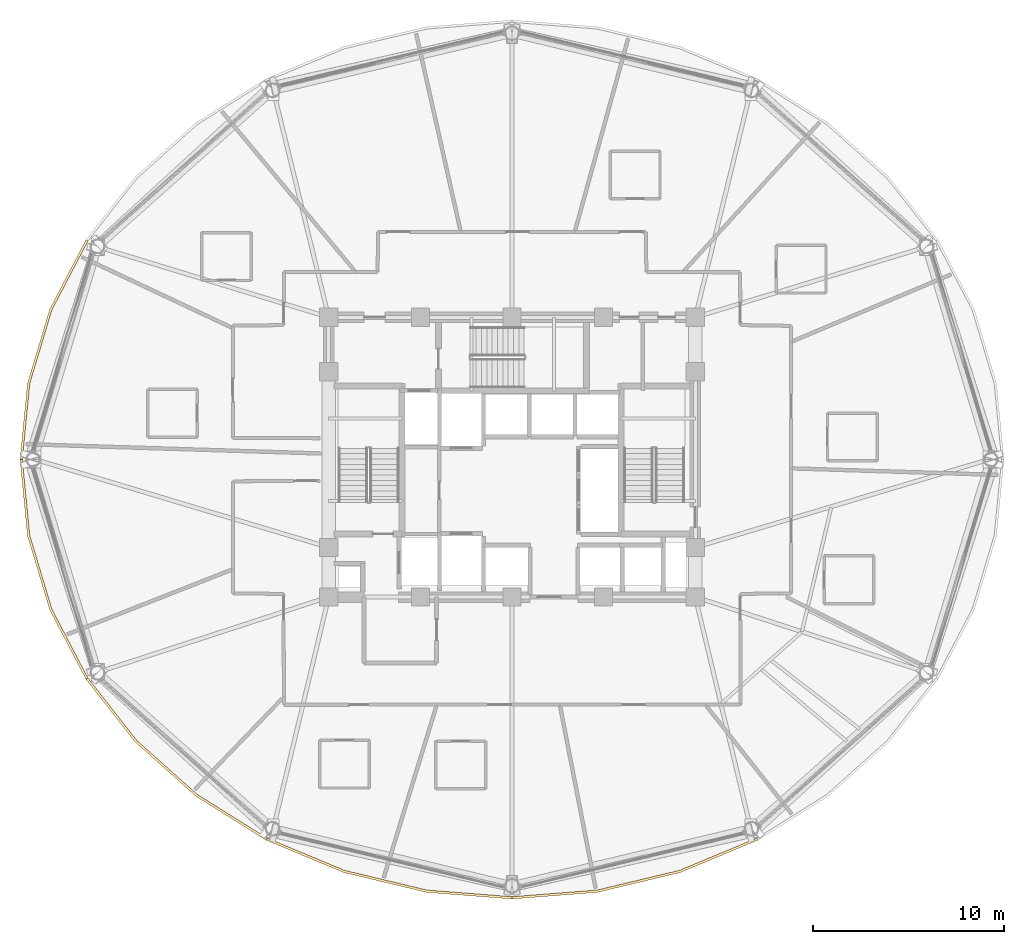
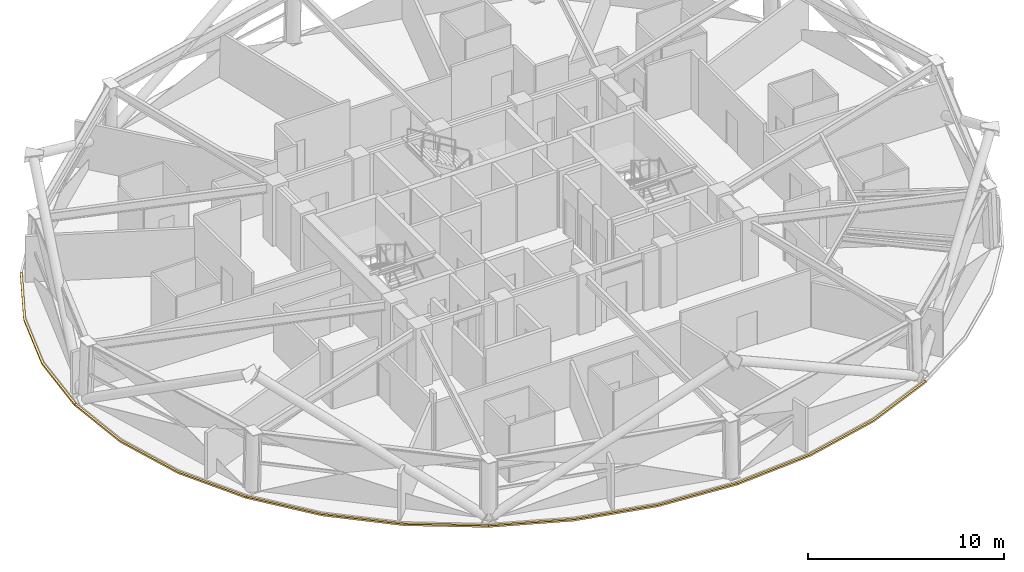
# One storey, part 12 of 15: 5 coverings.
"""IFC4 building model written with IfcOpenShell, lengths in metres."""

from ifc_helpers import new_model, si_unit, direction, frame, origin, place, context, subcontext, project, spatial, polyline, outline, extrude, material, layer, layer_set, type_object, element, save


model = new_model("IFC4")

# Units and contexts
model_context = context("Model", 3, precision=1e-05, world=origin(), true_north=direction((0.0, 1.0)))
body_context = subcontext(model_context, "Body", "Model", "MODEL_VIEW")
ifc_project = project(units=[si_unit("LENGTHUNIT", "METRE"), si_unit("AREAUNIT", "SQUARE_METRE"), si_unit("VOLUMEUNIT", "CUBIC_METRE"), si_unit("PLANEANGLEUNIT", "RADIAN"), si_unit("MASSUNIT", "GRAM", prefix="KILO")], contexts=[model_context])

# Site, building, storey
site_placement = place(None, origin())
site = spatial("IfcSite", under=ifc_project, at=site_placement, CompositionType="ELEMENT")
building_placement = place(site_placement, origin())
building = spatial("IfcBuilding", under=site, at=building_placement, Name="Vantalir Tower", CompositionType="ELEMENT")
storey_placement = place(building_placement, frame((0.0, 0.0, 134.699951171875)))
storey = spatial("IfcBuildingStorey", under=building, at=storey_placement, Name="L33", CompositionType="ELEMENT", Elevation=134.699951171875)

# Coverings
ifc_material = material(Name="Anodised champagne aluminium sill fascia", Category="aluminium")
ifc_layer = layer(ifc_material, 0.125)
ifc_layer_set = layer_set([ifc_layer], Name="Anodised champagne aluminium sill fascia")
covering_type = type_object("IfcCoveringType", Name="COV-SLAB-FASCIA-125", PredefinedType="CLADDING", material=ifc_layer_set)
covering_1_placement = place(storey_placement, frame((0.0, 0.0, -0.179931640625)))
element("IfcCovering", 1, at=covering_1_placement, inside=storey, type_object=covering_type, Name="L33 Perimeter Slab-Edge Sill Fascia 06", PredefinedType="CLADDING", context=body_context, shape_type="SweptSolid", body=[
    extrude(outline(polyline([(9.18408203125, 36.510009765625), (7.285888671875, 32.873046875), (6.123046875, 28.9970703125), (5.73193359375, 25.0), (5.85693359375, 25.0), (6.2470703125, 28.97607421875), (7.403076171875, 32.8310546875), (9.29296875, 36.447021484375), (9.18408203125, 36.510009765625)])), origin(), (0.0, 0.0, 1.0), 0.10498046875),
])
covering_2_placement = place(storey_placement, frame((0.0, 0.0, -0.179931640625)))
element("IfcCovering", 2, at=covering_2_placement, inside=storey, type_object=covering_type, Name="L33 Perimeter Slab-Edge Sill Fascia 07", PredefinedType="CLADDING", context=body_context, shape_type="SweptSolid", body=[
    extrude(outline(polyline([(5.73193359375, 25.0), (6.123046875, 21.0029296875), (7.285888671875, 17.126953125), (9.18408203125, 13.489990234375), (9.29296875, 13.552001953125), (7.403076171875, 17.1689453125), (6.2470703125, 21.02392578125), (5.85693359375, 25.0), (5.73193359375, 25.0)])), origin(), (0.0, 0.0, 1.0), 0.10498046875),
])
covering_3_placement = place(storey_placement, frame((0.0, 0.0, -0.179931640625)))
element("IfcCovering", 3, at=covering_3_placement, inside=storey, type_object=covering_type, Name="L33 Perimeter Slab-Edge Sill Fascia 08", PredefinedType="CLADDING", context=body_context, shape_type="SweptSolid", body=[
    extrude(outline(polyline([(9.18408203125, 13.489990234375), (11.760986328125, 10.202880859375), (14.93701171875, 7.365966796875), (18.615966796875, 5.06396484375), (18.677978515625, 5.172119140625), (15.01708984375, 7.4609375), (11.85595703125, 10.282958984375), (9.29296875, 13.552001953125), (9.18408203125, 13.489990234375)])), origin(), (0.0, 0.0, 1.0), 0.10498046875),
])
covering_4_placement = place(storey_placement, frame((0.0, 0.0, -0.179931640625)))
element("IfcCovering", 4, at=covering_4_placement, inside=storey, type_object=covering_type, Name="L33 Perimeter Slab-Edge Sill Fascia 09", PredefinedType="CLADDING", context=body_context, shape_type="SweptSolid", body=[
    extrude(outline(polyline([(18.615966796875, 5.06396484375), (22.68701171875, 3.367919921875), (27.02490234375, 2.330078125), (31.5, 1.97998046875), (31.5, 2.10498046875), (27.047119140625, 2.452880859375), (22.72998046875, 3.486083984375), (18.677978515625, 5.172119140625), (18.615966796875, 5.06396484375)])), origin(), (0.0, 0.0, 1.0), 0.10498046875),
])
covering_5_placement = place(storey_placement, frame((0.0, 0.0, -0.179931640625)))
element("IfcCovering", 5, at=covering_5_placement, inside=storey, type_object=covering_type, Name="L33 Perimeter Slab-Edge Sill Fascia 10", PredefinedType="CLADDING", context=body_context, shape_type="SweptSolid", body=[
    extrude(outline(polyline([(31.5, 1.97998046875), (35.97509765625, 2.330078125), (40.31298828125, 3.367919921875), (44.384033203125, 5.06396484375), (44.322021484375, 5.172119140625), (40.27001953125, 3.486083984375), (35.952880859375, 2.452880859375), (31.5, 2.10498046875), (31.5, 1.97998046875)])), origin(), (0.0, 0.0, 1.0), 0.10498046875),
])

save(model, "model.ifc")
